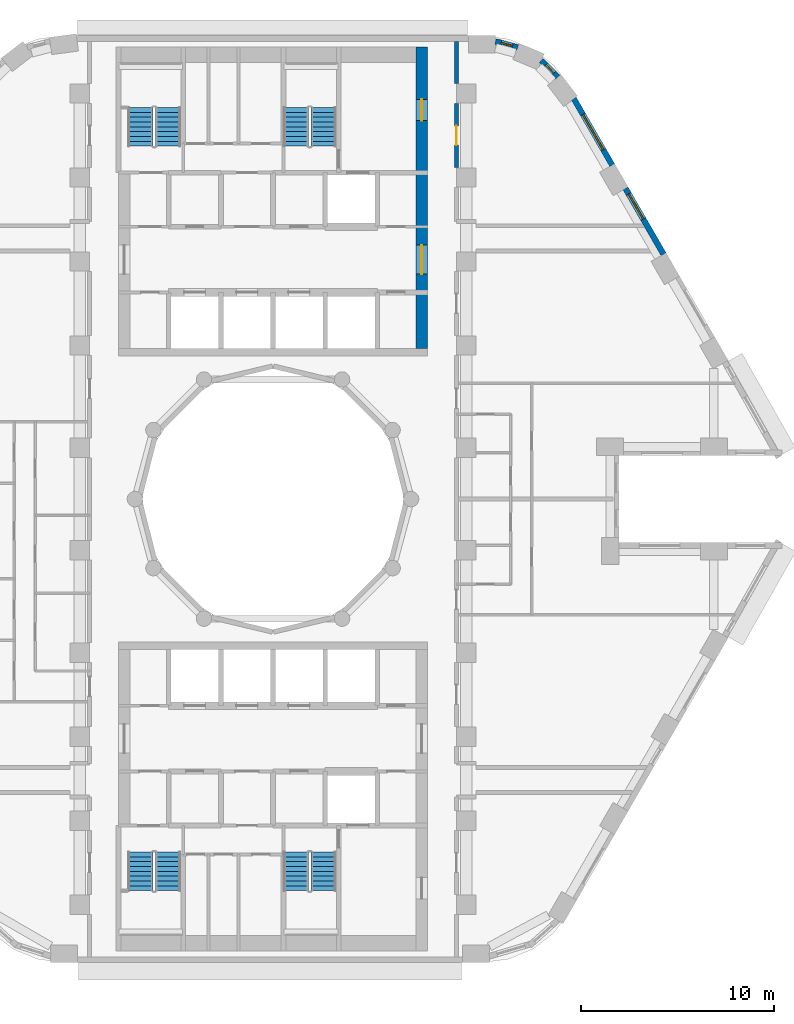
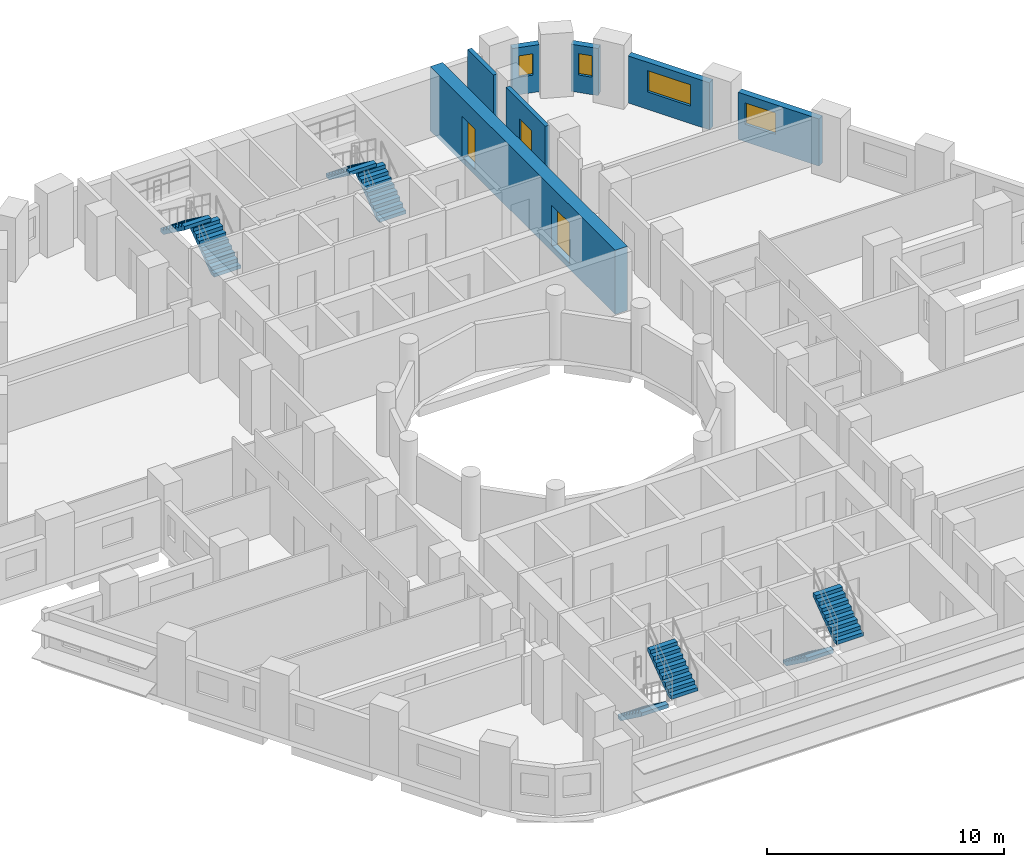
# One storey, part 9 of 12: 8 stair flights, 7 walls, 4 windows, 3 doors, 7 openings, 4 elements without a shape of their own.
"""IFC4 building model written with IfcOpenShell, lengths in metres."""

import ifcopenshell
import ifcopenshell.guid

model = None  # the IFC model being written
_history = None  # IfcOwnerHistory: only IFC2X3 demands one
_inside = {}  # id of a spatial element -> (the spatial element, [elements in it])
_under = {}  # id of a project, library or spatial element -> (it, [spatial elements below it])
_declared = {}  # id of a project -> (the project, [libraries it declares])
_typed = {}  # id of a type object -> (the type object, [elements of that type])
_made_of = {}  # id of a material, layer set ... -> (it, [elements and type objects made of it])


def new_model(schema):
    """Start an empty IFC model of exactly this schema.

    Asked for "IFC4X3", IfcOpenShell would pick the latest addendum, in which some entities
    have other attributes; the version numbers below select the first issue.
    IFC2X3 requires an IfcOwnerHistory on every rooted entity: one is made here for all.
    """
    global model, _history
    if schema == "IFC4X3":
        model = ifcopenshell.file(schema_version=(4, 3, 0, 0))
    else:
        model = ifcopenshell.file(schema=schema)
    _inside.clear()
    _under.clear()
    _declared.clear()
    _typed.clear()
    _made_of.clear()
    _history = None
    if model.schema == "IFC2X3":
        org = make("IfcOrganization", Name="unknown")
        user = make(
            "IfcPersonAndOrganization",
            ThePerson=make("IfcPerson", FamilyName="unknown"),
            TheOrganization=org,
        )
        app = make(
            "IfcApplication",
            ApplicationDeveloper=org,
            Version="unknown",
            ApplicationFullName="unknown",
            ApplicationIdentifier="unknown",
        )
        _history = make(
            "IfcOwnerHistory",
            OwningUser=user,
            OwningApplication=app,
            ChangeAction="ADDED",
            CreationDate=0,
        )
    return model


def make(cls, **values):
    """One entity of the class cls with the attributes given. An attribute that is None is left unset."""
    return model.create_entity(
        cls, **{name: value for name, value in values.items() if value is not None}
    )


def rooted(cls, **values):
    """An entity with a GlobalId (a new one), such as an element, a storey or a relation."""
    return make(cls, GlobalId=ifcopenshell.guid.new(), OwnerHistory=_history, **values)


def si_unit(unit_type, name, prefix=None):
    """IfcSIUnit, for example si_unit("LENGTHUNIT", "METRE", prefix="MILLI")."""
    return make("IfcSIUnit", UnitType=unit_type, Prefix=prefix, Name=name)


def assignment(units):
    """IfcUnitAssignment: the units of a project."""
    return None if units is None else make("IfcUnitAssignment", Units=units)


def point(xyz):
    """IfcCartesianPoint."""
    return None if xyz is None else make("IfcCartesianPoint", Coordinates=xyz)


def direction(xyz):
    """IfcDirection."""
    return None if xyz is None else make("IfcDirection", DirectionRatios=xyz)


def frame(location, z_axis=None, x_axis=None):
    """IfcAxis2Placement3D, a coordinate frame: its origin and axes. An axis left out is left unset."""
    return make(
        "IfcAxis2Placement3D",
        Location=point(location),
        Axis=direction(z_axis),
        RefDirection=direction(x_axis),
    )


def frame_2d(location, x_axis=None):
    """IfcAxis2Placement2D, a coordinate frame in the plane: its origin and x axis."""
    return make(
        "IfcAxis2Placement2D", Location=point(location), RefDirection=direction(x_axis)
    )


def origin():
    """The frame at (0, 0, 0) with its axes left unset."""
    return frame((0.0, 0.0, 0.0))


def place(relative_to, where):
    """IfcLocalPlacement: puts the frame where relative to a parent placement (None: the world)."""
    return make(
        "IfcLocalPlacement", PlacementRelTo=relative_to, RelativePlacement=where
    )


def context(
    kind, dimensions, precision=None, world=None, true_north=None, identifier=None
):
    """IfcGeometricRepresentationContext, for example the 3D "Model" context."""
    return make(
        "IfcGeometricRepresentationContext",
        ContextIdentifier=identifier,
        ContextType=kind,
        CoordinateSpaceDimension=dimensions,
        Precision=precision,
        WorldCoordinateSystem=world,
        TrueNorth=true_north,
    )


def subcontext(parent, identifier, kind, view, scale=None):
    """IfcGeometricRepresentationSubContext, for example "Body" below "Model"."""
    return make(
        "IfcGeometricRepresentationSubContext",
        ContextIdentifier=identifier,
        ContextType=kind,
        ParentContext=parent,
        TargetScale=scale,
        TargetView=view,
    )


def project(units=None, contexts=None):
    """IfcProject with its units and contexts."""
    return rooted(
        "IfcProject",
        Name="project",
        RepresentationContexts=contexts,
        UnitsInContext=assignment(units),
    )


def spatial(cls, under=None, at=None, **own):
    """A site, building, storey or space (cls), placed at a placement, below another one or the project."""
    s = rooted(cls, ObjectPlacement=at, **own)
    if under is not None:
        _under.setdefault(under.id(), (under, []))[1].append(s)
    return s


def polyline(points):
    """IfcPolyline through the points."""
    return make("IfcPolyline", Points=[point(p) for p in points])


def profile(cls, at=None, kind="AREA", **sizes):
    """A parametric profile (cls). Its sizes go by their IFC names, for example OverallWidth=200.0."""
    return make(cls, ProfileType=kind, Position=at, **sizes)


def rectangle(**sizes):
    """IfcRectangleProfileDef."""
    return profile("IfcRectangleProfileDef", **sizes)


def outline(outer, holes=None, kind="AREA"):
    """IfcArbitraryClosedProfileDef: a profile drawn as a closed curve; with holes, ...WithVoids."""
    if holes is None:
        return make("IfcArbitraryClosedProfileDef", ProfileType=kind, OuterCurve=outer)
    return make(
        "IfcArbitraryProfileDefWithVoids",
        ProfileType=kind,
        OuterCurve=outer,
        InnerCurves=holes,
    )


def extrude(swept, where, along, depth):
    """IfcExtrudedAreaSolid: the profile swept, set in the frame where, extruded along a direction by depth."""
    return make(
        "IfcExtrudedAreaSolid",
        SweptArea=swept,
        Position=where,
        ExtrudedDirection=direction(along),
        Depth=depth,
    )


def shape(context_of_items, identifier, shape_type, items):
    """IfcShapeRepresentation: the items that make up one representation, for example the "Body"."""
    return make(
        "IfcShapeRepresentation",
        ContextOfItems=context_of_items,
        RepresentationIdentifier=identifier,
        RepresentationType=shape_type,
        Items=items,
    )


def material(Name=None, Category=None):
    """IfcMaterial."""
    return make("IfcMaterial", Name=Name, Category=Category)


def layer(
    of_material, thickness, ventilated=None, Name=None, Category=None, Priority=None
):
    """IfcMaterialLayer: one layer of a wall or slab, of a material (None: an air gap)."""
    return make(
        "IfcMaterialLayer",
        Material=of_material,
        LayerThickness=thickness,
        IsVentilated=ventilated,
        Name=Name,
        Category=Category,
        Priority=Priority,
    )


def layer_set(layers, Name=None):
    """IfcMaterialLayerSet."""
    return make("IfcMaterialLayerSet", MaterialLayers=layers, LayerSetName=Name)


def made_of(thing, what):
    """Note that an element or type object is made of a material, layer set ...; save() writes the relation."""
    if what is not None:
        _made_of.setdefault(what.id(), (what, []))[1].append(thing)
    return thing


def type_object(cls, material=None, **own):
    """A type object (cls), such as IfcWallType, which elements share."""
    return made_of(rooted(cls, **own), material)


def element(
    cls,
    number,
    at=None,
    inside=None,
    cuts=None,
    type_object=None,
    material=None,
    context=None,
    identifier="Body",
    shape_type=None,
    held_by="IfcProductDefinitionShape",
    body=None,
    shapes=None,
    **own,
):
    """One element of the class cls, such as IfcWall. Its Tag is "e" and its number.

    at: its placement. inside: the storey or other place that contains it. cuts: it is an
    opening in that element (IfcRelVoidsElement). A single representation is given by context,
    identifier, shape_type and body (its items); several are given by shapes. held_by: the class
    of the entity that holds the representations. save() writes the other relations.
    """
    e = rooted(cls, Tag="e%d" % number, ObjectPlacement=at, **own)
    if body is not None:
        shapes = [shape(context, identifier, shape_type, body)]
    if shapes is not None:
        e.Representation = make(held_by, Representations=shapes)
    if inside is not None:
        _inside.setdefault(inside.id(), (inside, []))[1].append(e)
    if cuts is not None:
        rooted(
            "IfcRelVoidsElement", RelatingBuildingElement=cuts, RelatedOpeningElement=e
        )
    if type_object is not None:
        _typed.setdefault(type_object.id(), (type_object, []))[1].append(e)
    return made_of(e, material)


def fill(opening, filler):
    """IfcRelFillsElement: the door or window that sits in an opening."""
    return rooted(
        "IfcRelFillsElement",
        RelatingOpeningElement=opening,
        RelatedBuildingElement=filler,
    )


def aggregate(whole, parts):
    """IfcRelAggregates: a whole, such as a stair, and the parts it consists of."""
    return rooted("IfcRelAggregates", RelatingObject=whole, RelatedObjects=parts)


def save(model, path):
    """Write the relations noted so far, then the file.

    IfcRelAggregates (storeys below a building ...), IfcRelContainedInSpatialStructure (elements
    in a storey), IfcRelDefinesByType, IfcRelAssociatesMaterial and IfcRelDeclares: one each for
    every whole, place, type object, material and project.
    """
    for whole, parts in _under.values():
        aggregate(whole, parts)
    for where, things in _inside.values():
        rooted(
            "IfcRelContainedInSpatialStructure",
            RelatedElements=things,
            RelatingStructure=where,
        )
    for kind, things in _typed.values():
        rooted("IfcRelDefinesByType", RelatedObjects=things, RelatingType=kind)
    for what, things in _made_of.values():
        rooted("IfcRelAssociatesMaterial", RelatedObjects=things, RelatingMaterial=what)
    for by, libraries in _declared.values():
        rooted("IfcRelDeclares", RelatingContext=by, RelatedDefinitions=libraries)
    model.write(path)


model = new_model("IFC4")

# Units and contexts
model_context = context("Model", 3, precision=1e-05, world=origin(), true_north=direction((0.0, 1.0)))
body_context = subcontext(model_context, "Body", "Model", "MODEL_VIEW")
ifc_project = project(units=[si_unit("LENGTHUNIT", "METRE"), si_unit("AREAUNIT", "SQUARE_METRE"), si_unit("VOLUMEUNIT", "CUBIC_METRE"), si_unit("PLANEANGLEUNIT", "RADIAN"), si_unit("MASSUNIT", "GRAM", prefix="KILO")], contexts=[model_context])

# Site, building, storey
site_placement = place(None, origin())
site = spatial("IfcSite", under=ifc_project, at=site_placement, CompositionType="ELEMENT")
building_placement = place(site_placement, origin())
building = spatial("IfcBuilding", under=site, at=building_placement, Name="Nakaniwa Court", CompositionType="ELEMENT")
storey_placement = place(building_placement, frame((0.0, 0.0, 94.199951171875)))
storey = spatial("IfcBuildingStorey", under=building, at=storey_placement, Name="L24", CompositionType="ELEMENT", Elevation=94.199951171875)

# Wall, opening, door
ifc_material_1 = material(Name="Acoustic double stud partition")
ifc_layer_1 = layer(ifc_material_1, 0.199951171875)
ifc_layer_set_1 = layer_set([ifc_layer_1], Name="Acoustic double stud partition")
wall_type_1 = type_object("IfcWallType", Name="Acoustic double stud partition 200", PredefinedType="PARTITIONING", material=ifc_layer_set_1)
wall_1_placement = place(storey_placement, frame((89.5, 100.48291015625, 0.0), z_axis=(0.0, 0.0, 1.0), x_axis=(0.0, -1.0, 0.0)))
wall_1 = element("IfcWall", 1, at=wall_1_placement, inside=storey, type_object=wall_type_1, Name="Partition PW-079", PredefinedType="PARTITIONING", context=body_context, shape_type="SweptSolid", body=[
    extrude(rectangle(XDim=3.31591796875, YDim=0.199951171875, at=frame_2d((1.657958984375, 0.0))), origin(), (0.0, 0.0, 1.0), 3.025146484375),
])
opening_1_placement = place(wall_1_placement, frame((1.157958984375, 0.0, 0.0)))
opening_1 = element("IfcOpeningElement", 2, at=opening_1_placement, cuts=wall_1, Name="Opening D-02-07", PredefinedType="OPENING", context=body_context, shape_type="SweptSolid", body=[
    extrude(rectangle(XDim=1.0, YDim=2.10009765625, at=frame_2d((0.5, 1.050048828125))), frame((0.0, 0.10986328125, 0.0), z_axis=(0.0, -1.0, 0.0), x_axis=(1.0, 0.0, 0.0)), (0.0, 0.0, 1.0), 0.219970703125),
])
ifc_material_2 = material(Name="Solid core timber door set, black veneer", Category="wood")
door_type_1 = type_object("IfcDoorType", Name="Internal door 1000", OperationType="NOTDEFINED", PredefinedType="DOOR", material=ifc_material_2)
door_1_placement = place(opening_1_placement, origin())
door_1 = element("IfcDoor", 3, at=door_1_placement, inside=storey, type_object=door_type_1, Name="Door D-02-07 L24-049", OperationType="SINGLE_SWING_RIGHT", OverallHeight=2.10009765625, OverallWidth=1.0, PredefinedType="DOOR", context=body_context, shape_type="SweptSolid", body=[
    extrude(rectangle(XDim=1.0, YDim=2.10009765625, at=frame_2d((0.5, 1.050048828125))), frame((0.0, 0.02490234375, 0.0), z_axis=(0.0, -1.0, 0.0), x_axis=(1.0, 0.0, 0.0)), (0.0, 0.0, 1.0), 0.050048828125),
])
fill(opening_1, door_1)

# Wall
wall_2_placement = place(storey_placement, frame((89.5, 101.51708984375, 0.0), z_axis=(0.0, 0.0, 1.0), x_axis=(0.0, 1.0, 0.0)))
element("IfcWall", 4, at=wall_2_placement, inside=storey, type_object=wall_type_1, Name="Partition PW-080", PredefinedType="PARTITIONING", context=body_context, shape_type="SweptSolid", body=[
    extrude(rectangle(XDim=2.182861328125, YDim=0.199951171875, at=frame_2d((1.09130859375, 0.0))), origin(), (0.0, 0.0, 1.0), 3.025146484375),
])

# Wall, opening, window
ifc_material_3 = material(Name="Charcoal ceramic cladding")
ifc_layer_2 = layer(ifc_material_3, 0.02, Name="Ceramic cladding")
ifc_material_4 = material(Name="Ventilated air cavity")
ifc_layer_3 = layer(ifc_material_4, 0.04, ventilated=True, Name="Ventilated cavity")
ifc_material_5 = material(Name="Mineral wool insulation")
ifc_layer_4 = layer(ifc_material_5, 0.1, Name="Insulation")
ifc_material_6 = material(Name="Cement bonded sheathing board")
ifc_layer_5 = layer(ifc_material_6, 0.012, Name="Sheathing")
ifc_material_7 = material(Name="Cold-formed galvanised stud frame with mineral wool infill")
ifc_layer_6 = layer(ifc_material_7, 0.1, Name="Stud frame")
ifc_material_8 = material(Name="Fire-rated gypsum plasterboard lining")
ifc_layer_7 = layer(ifc_material_8, 0.028, Name="Lining")
ifc_layer_set_2 = layer_set([ifc_layer_2, ifc_layer_3, ifc_layer_4, ifc_layer_5, ifc_layer_6, ifc_layer_7], Name="Charcoal ceramic faced external wall system")
wall_type_2 = type_object("IfcWallType", Name="Black ceramic faced external wall 300", PredefinedType="SOLIDWALL", material=ifc_layer_set_2)
wall_3_placement = place(storey_placement, frame((100.22021484375, 92.677490234375, 0.0), z_axis=(0.0, 0.0, 1.0), x_axis=(-0.499957037901, 0.866050206543, 0.0)))
wall_3 = element("IfcWall", 5, at=wall_3_placement, inside=storey, type_object=wall_type_2, Name="L24 external wall 04", PredefinedType="SOLIDWALL", context=body_context, shape_type="SweptSolid", body=[
    extrude(rectangle(XDim=3.933837890625, YDim=0.300048828125, at=frame_2d((1.966796875, 0.0))), origin(), (0.0, 0.0, 1.0), 2.425048828125),
])
opening_2_placement = place(wall_3_placement, frame((2.104248046875, 0.0, 0.89990234375)))
opening_2 = element("IfcOpeningElement", 6, at=opening_2_placement, cuts=wall_3, Name="Opening W5.06", PredefinedType="OPENING", context=body_context, shape_type="SweptSolid", body=[
    extrude(rectangle(XDim=1.5, YDim=1.10009765625, at=frame_2d((0.75, 0.550048828125))), frame((0.0, 0.159912109375, 0.0), z_axis=(0.0, -1.0, 0.0), x_axis=(1.0, 0.0, 0.0)), (0.0, 0.0, 1.0), 0.320068359375),
])
ifc_material_9 = material(Name="Black anodised aluminium frame with dark low-E laminated double glazing", Category="aluminium")
window_type_1 = type_object("IfcWindowType", Name="Dark glass window 1500x1100 sill 900", PartitioningType="SINGLE_PANEL", PredefinedType="WINDOW", material=ifc_material_9)
window_1_placement = place(opening_2_placement, origin())
window_1 = element("IfcWindow", 7, at=window_1_placement, inside=storey, type_object=window_type_1, Name="L24 habitable room window 04-2", OverallHeight=1.10009765625, OverallWidth=1.5, PartitioningType="SINGLE_PANEL", PredefinedType="WINDOW", context=body_context, shape_type="SweptSolid", body=[
    extrude(rectangle(XDim=1.5, YDim=1.10009765625, at=frame_2d((0.75, 0.550048828125))), frame((0.0, 0.030029296875, 0.0), z_axis=(0.0, -1.0, 0.0), x_axis=(1.0, 0.0, 0.0)), (0.0, 0.0, 1.0), 0.06005859375),
])
fill(opening_2, window_1)

wall_4_placement = place(storey_placement, frame((97.557373046875, 97.289794921875, 0.0), z_axis=(0.0, 0.0, 1.0), x_axis=(-0.500043828347, 0.866000097998, 0.0)))
wall_4 = element("IfcWall", 8, at=wall_4_placement, inside=storey, type_object=wall_type_2, Name="L24 external wall 05", PredefinedType="SOLIDWALL", context=body_context, shape_type="SweptSolid", body=[
    extrude(rectangle(XDim=3.967529296875, YDim=0.300048828125, at=frame_2d((1.98388671875, 0.0))), origin(), (0.0, 0.0, 1.0), 2.425048828125),
])
opening_3_placement = place(wall_4_placement, frame((0.92236328125, 0.0, 0.89990234375)))
opening_3 = element("IfcOpeningElement", 9, at=opening_3_placement, cuts=wall_4, Name="Opening W7.07", PredefinedType="OPENING", context=body_context, shape_type="SweptSolid", body=[
    extrude(rectangle(XDim=2.10009765625, YDim=1.10009765625, at=frame_2d((1.050048828125, 0.550048828125))), frame((0.0, 0.159912109375, 0.0), z_axis=(0.0, -1.0, 0.0), x_axis=(1.0, 0.0, 0.0)), (0.0, 0.0, 1.0), 0.320068359375),
])
window_type_2 = type_object("IfcWindowType", Name="Dark glass window 2100x1100 sill 900", PartitioningType="SINGLE_PANEL", PredefinedType="WINDOW", material=ifc_material_9)
window_2_placement = place(opening_3_placement, origin())
window_2 = element("IfcWindow", 10, at=window_2_placement, inside=storey, type_object=window_type_2, Name="L24 habitable room window 05-0", OverallHeight=1.10009765625, OverallWidth=2.10009765625, PartitioningType="SINGLE_PANEL", PredefinedType="WINDOW", context=body_context, shape_type="SweptSolid", body=[
    extrude(rectangle(XDim=2.10009765625, YDim=1.10009765625, at=frame_2d((1.050048828125, 0.550048828125))), frame((0.0, 0.030029296875, 0.0), z_axis=(0.0, -1.0, 0.0), x_axis=(1.0, 0.0, 0.0)), (0.0, 0.0, 1.0), 0.06005859375),
])
fill(opening_3, window_2)

wall_5_placement = place(storey_placement, frame((94.738037109375, 101.839111328125, 0.0), z_axis=(0.0, 0.0, 1.0), x_axis=(-0.697032216592, 0.717039809936, 0.0)))
wall_5 = element("IfcWall", 11, at=wall_5_placement, inside=storey, type_object=wall_type_2, Name="L24 external wall 06", PredefinedType="SOLIDWALL", context=body_context, shape_type="SweptSolid", body=[
    extrude(rectangle(XDim=1.2080078125, YDim=0.300048828125, at=frame_2d((0.60400390625, 0.0))), origin(), (0.0, 0.0, 1.0), 2.425048828125),
])
opening_4_placement = place(wall_5_placement, frame((0.279296875, 0.0, 0.89990234375)))
opening_4 = element("IfcOpeningElement", 12, at=opening_4_placement, cuts=wall_5, Name="Opening W8.08", PredefinedType="OPENING", context=body_context, shape_type="SweptSolid", body=[
    extrude(rectangle(XDim=0.60009765625, YDim=1.10009765625, at=frame_2d((0.300048828125, 0.550048828125))), frame((0.0, 0.159912109375, 0.0), z_axis=(0.0, -1.0, 0.0), x_axis=(1.0, 0.0, 0.0)), (0.0, 0.0, 1.0), 0.320068359375),
])
window_type_3 = type_object("IfcWindowType", Name="Dark glass window 600x1100 sill 900", PartitioningType="SINGLE_PANEL", PredefinedType="WINDOW", material=ifc_material_9)
window_3_placement = place(opening_4_placement, origin())
window_3 = element("IfcWindow", 13, at=window_3_placement, inside=storey, type_object=window_type_3, Name="L24 habitable room window 06-0", OverallHeight=1.10009765625, OverallWidth=0.60009765625, PartitioningType="SINGLE_PANEL", PredefinedType="WINDOW", context=body_context, shape_type="SweptSolid", body=[
    extrude(rectangle(XDim=0.60009765625, YDim=1.10009765625, at=frame_2d((0.300048828125, 0.550048828125))), frame((0.0, 0.030029296875, 0.0), z_axis=(0.0, -1.0, 0.0), x_axis=(1.0, 0.0, 0.0)), (0.0, 0.0, 1.0), 0.06005859375),
])
fill(opening_4, window_3)

wall_6_placement = place(storey_placement, frame((92.669189453125, 103.3818359375, 0.0), z_axis=(0.0, 0.0, 1.0), x_axis=(-0.965278131029, 0.261224290136, 0.0)))
wall_6 = element("IfcWall", 14, at=wall_6_placement, inside=storey, type_object=wall_type_2, Name="L24 external wall 07", PredefinedType="SOLIDWALL", context=body_context, shape_type="SweptSolid", body=[
    extrude(rectangle(XDim=1.189697265625, YDim=0.300048828125, at=frame_2d((0.5947265625, 0.0))), origin(), (0.0, 0.0, 1.0), 2.425048828125),
])
opening_5_placement = place(wall_6_placement, frame((0.28466796875, 0.0, 0.89990234375)))
opening_5 = element("IfcOpeningElement", 15, at=opening_5_placement, cuts=wall_6, Name="Opening W8.09", PredefinedType="OPENING", context=body_context, shape_type="SweptSolid", body=[
    extrude(rectangle(XDim=0.60009765625, YDim=1.10009765625, at=frame_2d((0.300048828125, 0.550048828125))), frame((0.0, 0.159912109375, 0.0), z_axis=(0.0, -1.0, 0.0), x_axis=(1.0, 0.0, 0.0)), (0.0, 0.0, 1.0), 0.320068359375),
])
window_4_placement = place(opening_5_placement, origin())
window_4 = element("IfcWindow", 16, at=window_4_placement, inside=storey, type_object=window_type_3, Name="L24 habitable room window 07-0", OverallHeight=1.10009765625, OverallWidth=0.60009765625, PartitioningType="SINGLE_PANEL", PredefinedType="WINDOW", context=body_context, shape_type="SweptSolid", body=[
    extrude(rectangle(XDim=0.60009765625, YDim=1.10009765625, at=frame_2d((0.300048828125, 0.550048828125))), frame((0.0, 0.030029296875, 0.0), z_axis=(0.0, -1.0, 0.0), x_axis=(1.0, 0.0, 0.0)), (0.0, 0.0, 1.0), 0.06005859375),
])
fill(opening_5, window_4)

# Wall, openings, doors
ifc_material_10 = material(Name="Concrete C80/100", Category="concrete")
ifc_layer_8 = layer(ifc_material_10, 0.60009765625)
ifc_layer_set_3 = layer_set([ifc_layer_8], Name="Concrete C80/100")
wall_type_3 = type_object("IfcWallType", Name="Concrete core side wall 600 C80", PredefinedType="SHEAR", material=ifc_layer_set_3)
wall_7_placement = place(storey_placement, frame((87.699951171875, 103.39990234375, -0.27490234375), z_axis=(0.0, 0.0, 1.0), x_axis=(0.0, -1.0, 0.0)))
wall_7 = element("IfcWall", 17, at=wall_7_placement, inside=storey, type_object=wall_type_3, Name="Core wall SW-15", PredefinedType="SHEAR", context=body_context, shape_type="SweptSolid", body=[
    extrude(rectangle(XDim=15.599853515625, YDim=0.60009765625, at=frame_2d((7.7998046875, 0.0))), origin(), (0.0, 0.0, 1.0), 3.300048828125),
])
opening_6_placement = place(wall_7_placement, frame((10.25, 0.0, 0.27490234375)))
opening_6 = element("IfcOpeningElement", 18, at=opening_6_placement, cuts=wall_7, Name="Opening D-07-01", PredefinedType="OPENING", context=body_context, shape_type="SweptSolid", body=[
    extrude(rectangle(XDim=1.5, YDim=2.10009765625, at=frame_2d((0.75, 1.050048828125))), frame((0.0, 0.31005859375, 0.0), z_axis=(0.0, -1.0, 0.0), x_axis=(1.0, 0.0, 0.0)), (0.0, 0.0, 1.0), 0.6201171875),
])
opening_7_placement = place(wall_7_placement, frame((2.699951171875, 0.0, 0.27490234375)))
opening_7 = element("IfcOpeningElement", 19, at=opening_7_placement, cuts=wall_7, Name="Opening D-10-01", PredefinedType="OPENING", context=body_context, shape_type="SweptSolid", body=[
    extrude(rectangle(XDim=1.10009765625, YDim=2.10009765625, at=frame_2d((0.550048828125, 1.050048828125))), frame((0.0, 0.31005859375, 0.0), z_axis=(0.0, -1.0, 0.0), x_axis=(1.0, 0.0, 0.0)), (0.0, 0.0, 1.0), 0.6201171875),
])
ifc_material_11 = material(Name="Fire rated steel door set", Category="steel")
door_type_2 = type_object("IfcDoorType", Name="Firefighting lobby door 1100", OperationType="NOTDEFINED", PredefinedType="DOOR", material=ifc_material_11)
door_2_placement = place(opening_7_placement, origin())
door_2 = element("IfcDoor", 20, at=door_2_placement, inside=storey, type_object=door_type_2, Name="Door D-10-01 L24-053", OperationType="SINGLE_SWING_RIGHT", OverallHeight=2.10009765625, OverallWidth=1.10009765625, PredefinedType="DOOR", context=body_context, shape_type="SweptSolid", body=[
    extrude(rectangle(XDim=1.10009765625, YDim=2.10009765625, at=frame_2d((0.550048828125, 1.050048828125))), frame((0.0, 0.02490234375, 0.0), z_axis=(0.0, -1.0, 0.0), x_axis=(1.0, 0.0, 0.0)), (0.0, 0.0, 1.0), 0.050048828125),
])
fill(opening_7, door_2)
ifc_material_12 = material(Name="Glazed fire rated steel double door set", Category="steel")
door_type_3 = type_object("IfcDoorType", Name="Lobby double door 1500", OperationType="NOTDEFINED", PredefinedType="DOOR", material=ifc_material_12)
door_3_placement = place(opening_6_placement, origin())
door_3 = element("IfcDoor", 21, at=door_3_placement, inside=storey, type_object=door_type_3, Name="Door D-07-01 L24-051", OperationType="DOUBLE_DOOR_SINGLE_SWING", OverallHeight=2.10009765625, OverallWidth=1.5, PredefinedType="DOOR", context=body_context, shape_type="SweptSolid", body=[
    extrude(rectangle(XDim=1.5, YDim=2.10009765625, at=frame_2d((0.75, 1.050048828125))), frame((0.0, 0.02490234375, 0.0), z_axis=(0.0, -1.0, 0.0), x_axis=(1.0, 0.0, 0.0)), (0.0, 0.0, 1.0), 0.050048828125),
])
fill(opening_6, door_3)

# Stair, stair flights
stair_type = type_object("IfcStairType", Name="Dog leg stair 1300 wide 18 risers", PredefinedType="HALF_TURN_STAIR", material=ifc_material_10)
stair_1_placement = place(storey_placement, origin())
stair_1 = element("IfcStair", 22, at=stair_1_placement, inside=storey, type_object=stair_type, Name="L24 Stair ST1", PredefinedType="HALF_TURN_STAIR")
stair_flight_type = type_object("IfcStairFlightType", Name="Stair flight 1300 wide 9 risers", PredefinedType="STRAIGHT", material=ifc_material_10)
stair_flight_1_placement = place(storey_placement, frame((74.574951171875, 98.27490234375, 0.0), z_axis=(0.0, 0.0, 1.0), x_axis=(0.0, 1.0, 0.0)))
stair_flight_1 = element("IfcStairFlight", 23, at=stair_flight_1_placement, type_object=stair_flight_type, Name="ST1 flight 1", NumberOfRisers=9, NumberOfTreads=8, PredefinedType="STRAIGHT", RiserHeight=0.183333333, TreadLength=0.25, context=body_context, shape_type="SweptSolid", body=[
    extrude(outline(polyline([(0.0, 0.0), (0.0, 0.026123046875), (0.0, 0.052490234375), (0.0, 0.07861328125), (0.0, 0.104736328125), (0.0, 0.130859375), (0.0, 0.1572265625), (0.0, 0.183349609375), (0.25, 0.183349609375), (0.25, 0.36669921875), (0.5, 0.36669921875), (0.5, 0.550048828125), (0.75, 0.550048828125), (0.75, 0.7333984375), (1.0, 0.7333984375), (1.0, 0.916748046875), (1.25, 0.916748046875), (1.25, 1.10009765625), (1.5, 1.10009765625), (1.5, 1.283447265625), (1.75, 1.283447265625), (1.75, 1.466552734375), (2.0, 1.466552734375), (2.0, 1.64990234375), (2.0, 1.59716796875), (2.0, 1.54443359375), (2.0, 1.49169921875), (2.0, 1.43896484375), (2.0, 1.38623046875), (2.0, 1.33349609375), (2.0, 1.28076171875), (0.25341796875, 0.0), (0.0, 0.0)])), frame((0.0, 0.64990234375, 0.0), z_axis=(0.0, -1.0, 0.0), x_axis=(1.0, 0.0, 0.0)), (0.0, 0.0, 1.0), 1.300048828125),
])
stair_flight_2_placement = place(storey_placement, frame((73.125, 100.27490234375, 1.650146484375), z_axis=(0.0, 0.0, 1.0), x_axis=(0.0, -1.0, 0.0)))
stair_flight_2 = element("IfcStairFlight", 24, at=stair_flight_2_placement, type_object=stair_flight_type, Name="ST1 flight 2", NumberOfRisers=9, NumberOfTreads=8, PredefinedType="STRAIGHT", RiserHeight=0.183333333, TreadLength=0.25, context=body_context, shape_type="SweptSolid", body=[
    extrude(outline(polyline([(0.0, 0.0), (0.0, 0.026123046875), (0.0, 0.052490234375), (0.0, 0.07861328125), (0.0, 0.104736328125), (0.0, 0.130859375), (0.0, 0.1572265625), (0.0, 0.183349609375), (0.25, 0.183349609375), (0.25, 0.36669921875), (0.5, 0.36669921875), (0.5, 0.550048828125), (0.75, 0.550048828125), (0.75, 0.7333984375), (1.0, 0.7333984375), (1.0, 0.916748046875), (1.25, 0.916748046875), (1.25, 1.10009765625), (1.5, 1.10009765625), (1.5, 1.283447265625), (1.75, 1.283447265625), (1.75, 1.466552734375), (2.0, 1.466552734375), (2.0, 1.64990234375), (2.0, 1.59716796875), (2.0, 1.54443359375), (2.0, 1.49169921875), (2.0, 1.43896484375), (2.0, 1.38623046875), (2.0, 1.33349609375), (2.0, 1.28076171875), (0.25341796875, 0.0), (0.0, 0.0)])), frame((0.0, 0.64990234375, 0.0), z_axis=(0.0, -1.0, 0.0), x_axis=(1.0, 0.0, 0.0)), (0.0, 0.0, 1.0), 1.300048828125),
])
aggregate(stair_1, [stair_flight_1, stair_flight_2])

stair_2_placement = place(storey_placement, origin())
stair_2 = element("IfcStair", 25, at=stair_2_placement, inside=storey, type_object=stair_type, Name="L24 Stair ST2", PredefinedType="HALF_TURN_STAIR")
stair_flight_3_placement = place(storey_placement, frame((82.625, 98.27490234375, 0.0), z_axis=(0.0, 0.0, 1.0), x_axis=(0.0, 1.0, 0.0)))
stair_flight_3 = element("IfcStairFlight", 26, at=stair_flight_3_placement, type_object=stair_flight_type, Name="ST2 flight 1", NumberOfRisers=9, NumberOfTreads=8, PredefinedType="STRAIGHT", RiserHeight=0.183333333, TreadLength=0.25, context=body_context, shape_type="SweptSolid", body=[
    extrude(outline(polyline([(0.0, 0.0), (0.0, 0.026123046875), (0.0, 0.052490234375), (0.0, 0.07861328125), (0.0, 0.104736328125), (0.0, 0.130859375), (0.0, 0.1572265625), (0.0, 0.183349609375), (0.25, 0.183349609375), (0.25, 0.36669921875), (0.5, 0.36669921875), (0.5, 0.550048828125), (0.75, 0.550048828125), (0.75, 0.7333984375), (1.0, 0.7333984375), (1.0, 0.916748046875), (1.25, 0.916748046875), (1.25, 1.10009765625), (1.5, 1.10009765625), (1.5, 1.283447265625), (1.75, 1.283447265625), (1.75, 1.466552734375), (2.0, 1.466552734375), (2.0, 1.64990234375), (2.0, 1.59716796875), (2.0, 1.54443359375), (2.0, 1.49169921875), (2.0, 1.43896484375), (2.0, 1.38623046875), (2.0, 1.33349609375), (2.0, 1.28076171875), (0.25341796875, 0.0), (0.0, 0.0)])), frame((0.0, 0.64990234375, 0.0), z_axis=(0.0, -1.0, 0.0), x_axis=(1.0, 0.0, 0.0)), (0.0, 0.0, 1.0), 1.300048828125),
])
stair_flight_4_placement = place(storey_placement, frame((81.175048828125, 100.27490234375, 1.650146484375), z_axis=(0.0, 0.0, 1.0), x_axis=(0.0, -1.0, 0.0)))
stair_flight_4 = element("IfcStairFlight", 27, at=stair_flight_4_placement, type_object=stair_flight_type, Name="ST2 flight 2", NumberOfRisers=9, NumberOfTreads=8, PredefinedType="STRAIGHT", RiserHeight=0.183333333, TreadLength=0.25, context=body_context, shape_type="SweptSolid", body=[
    extrude(outline(polyline([(0.0, 0.0), (0.0, 0.026123046875), (0.0, 0.052490234375), (0.0, 0.07861328125), (0.0, 0.104736328125), (0.0, 0.130859375), (0.0, 0.1572265625), (0.0, 0.183349609375), (0.25, 0.183349609375), (0.25, 0.36669921875), (0.5, 0.36669921875), (0.5, 0.550048828125), (0.75, 0.550048828125), (0.75, 0.7333984375), (1.0, 0.7333984375), (1.0, 0.916748046875), (1.25, 0.916748046875), (1.25, 1.10009765625), (1.5, 1.10009765625), (1.5, 1.283447265625), (1.75, 1.283447265625), (1.75, 1.466552734375), (2.0, 1.466552734375), (2.0, 1.64990234375), (2.0, 1.59716796875), (2.0, 1.54443359375), (2.0, 1.49169921875), (2.0, 1.43896484375), (2.0, 1.38623046875), (2.0, 1.33349609375), (2.0, 1.28076171875), (0.25341796875, 0.0), (0.0, 0.0)])), frame((0.0, 0.64990234375, 0.0), z_axis=(0.0, -1.0, 0.0), x_axis=(1.0, 0.0, 0.0)), (0.0, 0.0, 1.0), 1.300048828125),
])
aggregate(stair_2, [stair_flight_3, stair_flight_4])

stair_3_placement = place(storey_placement, origin())
stair_3 = element("IfcStair", 28, at=stair_3_placement, inside=storey, type_object=stair_type, Name="L24 Stair ST3", PredefinedType="HALF_TURN_STAIR")
stair_flight_5_placement = place(storey_placement, frame((73.125, 61.72509765625, 0.0), z_axis=(0.0, 0.0, 1.0), x_axis=(0.0, -1.0, 0.0)))
stair_flight_5 = element("IfcStairFlight", 29, at=stair_flight_5_placement, type_object=stair_flight_type, Name="ST3 flight 1", NumberOfRisers=9, NumberOfTreads=8, PredefinedType="STRAIGHT", RiserHeight=0.183333333, TreadLength=0.25, context=body_context, shape_type="SweptSolid", body=[
    extrude(outline(polyline([(0.0, 0.0), (0.0, 0.026123046875), (0.0, 0.052490234375), (0.0, 0.07861328125), (0.0, 0.104736328125), (0.0, 0.130859375), (0.0, 0.1572265625), (0.0, 0.183349609375), (0.25, 0.183349609375), (0.25, 0.36669921875), (0.5, 0.36669921875), (0.5, 0.550048828125), (0.75, 0.550048828125), (0.75, 0.7333984375), (1.0, 0.7333984375), (1.0, 0.916748046875), (1.25, 0.916748046875), (1.25, 1.10009765625), (1.5, 1.10009765625), (1.5, 1.283447265625), (1.75, 1.283447265625), (1.75, 1.466552734375), (2.0, 1.466552734375), (2.0, 1.64990234375), (2.0, 1.59716796875), (2.0, 1.54443359375), (2.0, 1.49169921875), (2.0, 1.43896484375), (2.0, 1.38623046875), (2.0, 1.33349609375), (2.0, 1.28076171875), (0.25341796875, 0.0), (0.0, 0.0)])), frame((0.0, 0.64990234375, 0.0), z_axis=(0.0, -1.0, 0.0), x_axis=(1.0, 0.0, 0.0)), (0.0, 0.0, 1.0), 1.300048828125),
])
stair_flight_6_placement = place(storey_placement, frame((74.574951171875, 59.72509765625, 1.650146484375), z_axis=(0.0, 0.0, 1.0), x_axis=(0.0, 1.0, 0.0)))
stair_flight_6 = element("IfcStairFlight", 30, at=stair_flight_6_placement, type_object=stair_flight_type, Name="ST3 flight 2", NumberOfRisers=9, NumberOfTreads=8, PredefinedType="STRAIGHT", RiserHeight=0.183333333, TreadLength=0.25, context=body_context, shape_type="SweptSolid", body=[
    extrude(outline(polyline([(0.0, 0.0), (0.0, 0.026123046875), (0.0, 0.052490234375), (0.0, 0.07861328125), (0.0, 0.104736328125), (0.0, 0.130859375), (0.0, 0.1572265625), (0.0, 0.183349609375), (0.25, 0.183349609375), (0.25, 0.36669921875), (0.5, 0.36669921875), (0.5, 0.550048828125), (0.75, 0.550048828125), (0.75, 0.7333984375), (1.0, 0.7333984375), (1.0, 0.916748046875), (1.25, 0.916748046875), (1.25, 1.10009765625), (1.5, 1.10009765625), (1.5, 1.283447265625), (1.75, 1.283447265625), (1.75, 1.466552734375), (2.0, 1.466552734375), (2.0, 1.64990234375), (2.0, 1.59716796875), (2.0, 1.54443359375), (2.0, 1.49169921875), (2.0, 1.43896484375), (2.0, 1.38623046875), (2.0, 1.33349609375), (2.0, 1.28076171875), (0.25341796875, 0.0), (0.0, 0.0)])), frame((0.0, 0.64990234375, 0.0), z_axis=(0.0, -1.0, 0.0), x_axis=(1.0, 0.0, 0.0)), (0.0, 0.0, 1.0), 1.300048828125),
])
aggregate(stair_3, [stair_flight_5, stair_flight_6])

stair_4_placement = place(storey_placement, origin())
stair_4 = element("IfcStair", 31, at=stair_4_placement, inside=storey, type_object=stair_type, Name="L24 Stair ST4", PredefinedType="HALF_TURN_STAIR")
stair_flight_7_placement = place(storey_placement, frame((81.175048828125, 61.72509765625, 0.0), z_axis=(0.0, 0.0, 1.0), x_axis=(0.0, -1.0, 0.0)))
stair_flight_7 = element("IfcStairFlight", 32, at=stair_flight_7_placement, type_object=stair_flight_type, Name="ST4 flight 1", NumberOfRisers=9, NumberOfTreads=8, PredefinedType="STRAIGHT", RiserHeight=0.183333333, TreadLength=0.25, context=body_context, shape_type="SweptSolid", body=[
    extrude(outline(polyline([(0.0, 0.0), (0.0, 0.026123046875), (0.0, 0.052490234375), (0.0, 0.07861328125), (0.0, 0.104736328125), (0.0, 0.130859375), (0.0, 0.1572265625), (0.0, 0.183349609375), (0.25, 0.183349609375), (0.25, 0.36669921875), (0.5, 0.36669921875), (0.5, 0.550048828125), (0.75, 0.550048828125), (0.75, 0.7333984375), (1.0, 0.7333984375), (1.0, 0.916748046875), (1.25, 0.916748046875), (1.25, 1.10009765625), (1.5, 1.10009765625), (1.5, 1.283447265625), (1.75, 1.283447265625), (1.75, 1.466552734375), (2.0, 1.466552734375), (2.0, 1.64990234375), (2.0, 1.59716796875), (2.0, 1.54443359375), (2.0, 1.49169921875), (2.0, 1.43896484375), (2.0, 1.38623046875), (2.0, 1.33349609375), (2.0, 1.28076171875), (0.25341796875, 0.0), (0.0, 0.0)])), frame((0.0, 0.64990234375, 0.0), z_axis=(0.0, -1.0, 0.0), x_axis=(1.0, 0.0, 0.0)), (0.0, 0.0, 1.0), 1.300048828125),
])
stair_flight_8_placement = place(storey_placement, frame((82.625, 59.72509765625, 1.650146484375), z_axis=(0.0, 0.0, 1.0), x_axis=(0.0, 1.0, 0.0)))
stair_flight_8 = element("IfcStairFlight", 33, at=stair_flight_8_placement, type_object=stair_flight_type, Name="ST4 flight 2", NumberOfRisers=9, NumberOfTreads=8, PredefinedType="STRAIGHT", RiserHeight=0.183333333, TreadLength=0.25, context=body_context, shape_type="SweptSolid", body=[
    extrude(outline(polyline([(0.0, 0.0), (0.0, 0.026123046875), (0.0, 0.052490234375), (0.0, 0.07861328125), (0.0, 0.104736328125), (0.0, 0.130859375), (0.0, 0.1572265625), (0.0, 0.183349609375), (0.25, 0.183349609375), (0.25, 0.36669921875), (0.5, 0.36669921875), (0.5, 0.550048828125), (0.75, 0.550048828125), (0.75, 0.7333984375), (1.0, 0.7333984375), (1.0, 0.916748046875), (1.25, 0.916748046875), (1.25, 1.10009765625), (1.5, 1.10009765625), (1.5, 1.283447265625), (1.75, 1.283447265625), (1.75, 1.466552734375), (2.0, 1.466552734375), (2.0, 1.64990234375), (2.0, 1.59716796875), (2.0, 1.54443359375), (2.0, 1.49169921875), (2.0, 1.43896484375), (2.0, 1.38623046875), (2.0, 1.33349609375), (2.0, 1.28076171875), (0.25341796875, 0.0), (0.0, 0.0)])), frame((0.0, 0.64990234375, 0.0), z_axis=(0.0, -1.0, 0.0), x_axis=(1.0, 0.0, 0.0)), (0.0, 0.0, 1.0), 1.300048828125),
])
aggregate(stair_4, [stair_flight_7, stair_flight_8])

save(model, "model.ifc")
